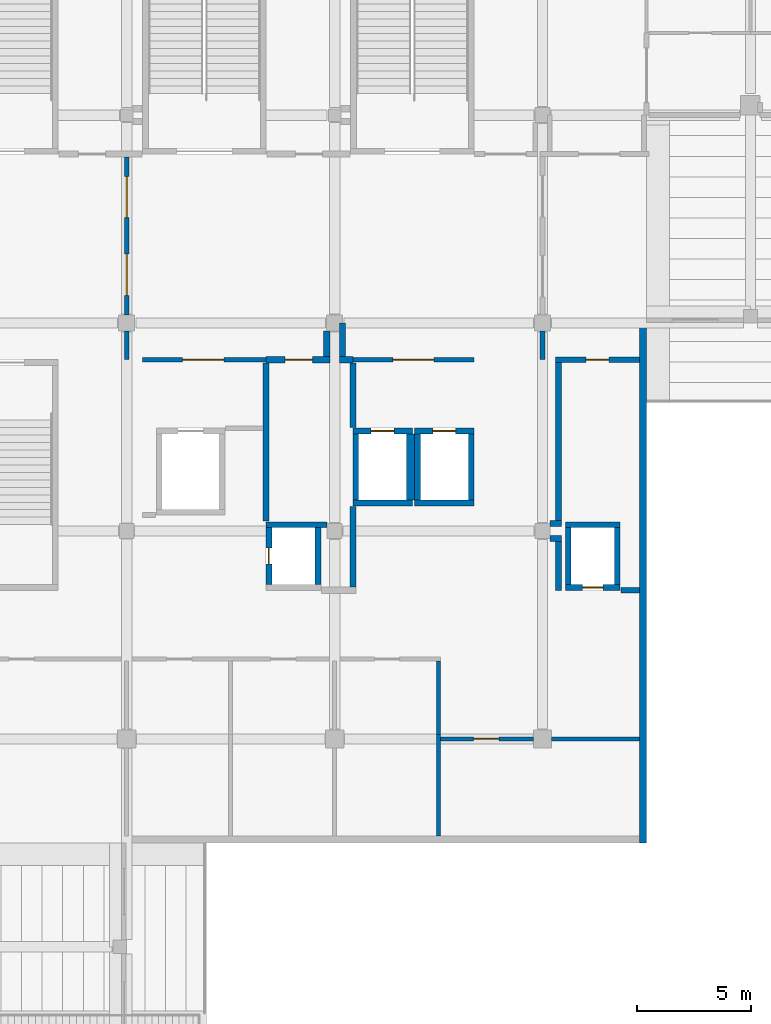
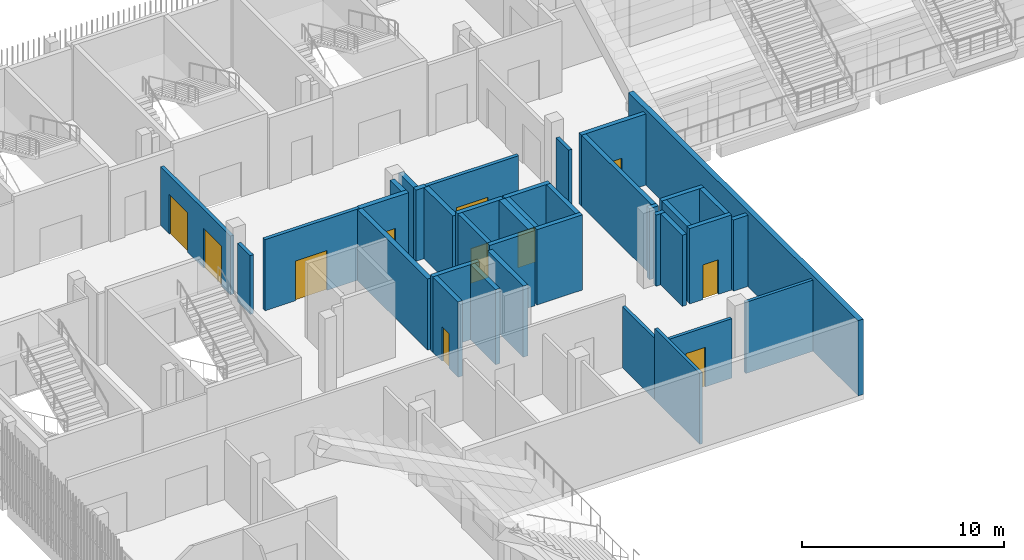
# One storey, part 83 of 139: 38 walls, 11 doors, 11 openings.
"""IFC4 building model written with IfcOpenShell, lengths in metres."""

import ifcopenshell
import ifcopenshell.guid

model = None  # the IFC model being written
_history = None  # IfcOwnerHistory: only IFC2X3 demands one
_inside = {}  # id of a spatial element -> (the spatial element, [elements in it])
_under = {}  # id of a project, library or spatial element -> (it, [spatial elements below it])
_declared = {}  # id of a project -> (the project, [libraries it declares])
_typed = {}  # id of a type object -> (the type object, [elements of that type])
_made_of = {}  # id of a material, layer set ... -> (it, [elements and type objects made of it])


def new_model(schema):
    """Start an empty IFC model of exactly this schema.

    Asked for "IFC4X3", IfcOpenShell would pick the latest addendum, in which some entities
    have other attributes; the version numbers below select the first issue.
    IFC2X3 requires an IfcOwnerHistory on every rooted entity: one is made here for all.
    """
    global model, _history
    if schema == "IFC4X3":
        model = ifcopenshell.file(schema_version=(4, 3, 0, 0))
    else:
        model = ifcopenshell.file(schema=schema)
    _inside.clear()
    _under.clear()
    _declared.clear()
    _typed.clear()
    _made_of.clear()
    _history = None
    if model.schema == "IFC2X3":
        org = make("IfcOrganization", Name="unknown")
        user = make(
            "IfcPersonAndOrganization",
            ThePerson=make("IfcPerson", FamilyName="unknown"),
            TheOrganization=org,
        )
        app = make(
            "IfcApplication",
            ApplicationDeveloper=org,
            Version="unknown",
            ApplicationFullName="unknown",
            ApplicationIdentifier="unknown",
        )
        _history = make(
            "IfcOwnerHistory",
            OwningUser=user,
            OwningApplication=app,
            ChangeAction="ADDED",
            CreationDate=0,
        )
    return model


def make(cls, **values):
    """One entity of the class cls with the attributes given. An attribute that is None is left unset."""
    return model.create_entity(
        cls, **{name: value for name, value in values.items() if value is not None}
    )


def rooted(cls, **values):
    """An entity with a GlobalId (a new one), such as an element, a storey or a relation."""
    return make(cls, GlobalId=ifcopenshell.guid.new(), OwnerHistory=_history, **values)


def si_unit(unit_type, name, prefix=None):
    """IfcSIUnit, for example si_unit("LENGTHUNIT", "METRE", prefix="MILLI")."""
    return make("IfcSIUnit", UnitType=unit_type, Prefix=prefix, Name=name)


def assignment(units):
    """IfcUnitAssignment: the units of a project."""
    return None if units is None else make("IfcUnitAssignment", Units=units)


def point(xyz):
    """IfcCartesianPoint."""
    return None if xyz is None else make("IfcCartesianPoint", Coordinates=xyz)


def direction(xyz):
    """IfcDirection."""
    return None if xyz is None else make("IfcDirection", DirectionRatios=xyz)


def frame(location, z_axis=None, x_axis=None):
    """IfcAxis2Placement3D, a coordinate frame: its origin and axes. An axis left out is left unset."""
    return make(
        "IfcAxis2Placement3D",
        Location=point(location),
        Axis=direction(z_axis),
        RefDirection=direction(x_axis),
    )


def frame_2d(location, x_axis=None):
    """IfcAxis2Placement2D, a coordinate frame in the plane: its origin and x axis."""
    return make(
        "IfcAxis2Placement2D", Location=point(location), RefDirection=direction(x_axis)
    )


def origin():
    """The frame at (0, 0, 0) with its axes left unset."""
    return frame((0.0, 0.0, 0.0))


def place(relative_to, where):
    """IfcLocalPlacement: puts the frame where relative to a parent placement (None: the world)."""
    return make(
        "IfcLocalPlacement", PlacementRelTo=relative_to, RelativePlacement=where
    )


def context(
    kind, dimensions, precision=None, world=None, true_north=None, identifier=None
):
    """IfcGeometricRepresentationContext, for example the 3D "Model" context."""
    return make(
        "IfcGeometricRepresentationContext",
        ContextIdentifier=identifier,
        ContextType=kind,
        CoordinateSpaceDimension=dimensions,
        Precision=precision,
        WorldCoordinateSystem=world,
        TrueNorth=true_north,
    )


def subcontext(parent, identifier, kind, view, scale=None):
    """IfcGeometricRepresentationSubContext, for example "Body" below "Model"."""
    return make(
        "IfcGeometricRepresentationSubContext",
        ContextIdentifier=identifier,
        ContextType=kind,
        ParentContext=parent,
        TargetScale=scale,
        TargetView=view,
    )


def project(units=None, contexts=None):
    """IfcProject with its units and contexts."""
    return rooted(
        "IfcProject",
        Name="project",
        RepresentationContexts=contexts,
        UnitsInContext=assignment(units),
    )


def spatial(cls, under=None, at=None, **own):
    """A site, building, storey or space (cls), placed at a placement, below another one or the project."""
    s = rooted(cls, ObjectPlacement=at, **own)
    if under is not None:
        _under.setdefault(under.id(), (under, []))[1].append(s)
    return s


def profile(cls, at=None, kind="AREA", **sizes):
    """A parametric profile (cls). Its sizes go by their IFC names, for example OverallWidth=200.0."""
    return make(cls, ProfileType=kind, Position=at, **sizes)


def rectangle(**sizes):
    """IfcRectangleProfileDef."""
    return profile("IfcRectangleProfileDef", **sizes)


def extrude(swept, where, along, depth):
    """IfcExtrudedAreaSolid: the profile swept, set in the frame where, extruded along a direction by depth."""
    return make(
        "IfcExtrudedAreaSolid",
        SweptArea=swept,
        Position=where,
        ExtrudedDirection=direction(along),
        Depth=depth,
    )


def shape(context_of_items, identifier, shape_type, items):
    """IfcShapeRepresentation: the items that make up one representation, for example the "Body"."""
    return make(
        "IfcShapeRepresentation",
        ContextOfItems=context_of_items,
        RepresentationIdentifier=identifier,
        RepresentationType=shape_type,
        Items=items,
    )


def material(Name=None, Category=None):
    """IfcMaterial."""
    return make("IfcMaterial", Name=Name, Category=Category)


def layer(
    of_material, thickness, ventilated=None, Name=None, Category=None, Priority=None
):
    """IfcMaterialLayer: one layer of a wall or slab, of a material (None: an air gap)."""
    return make(
        "IfcMaterialLayer",
        Material=of_material,
        LayerThickness=thickness,
        IsVentilated=ventilated,
        Name=Name,
        Category=Category,
        Priority=Priority,
    )


def layer_set(layers, Name=None):
    """IfcMaterialLayerSet."""
    return make("IfcMaterialLayerSet", MaterialLayers=layers, LayerSetName=Name)


def made_of(thing, what):
    """Note that an element or type object is made of a material, layer set ...; save() writes the relation."""
    if what is not None:
        _made_of.setdefault(what.id(), (what, []))[1].append(thing)
    return thing


def type_object(cls, material=None, **own):
    """A type object (cls), such as IfcWallType, which elements share."""
    return made_of(rooted(cls, **own), material)


def element(
    cls,
    number,
    at=None,
    inside=None,
    cuts=None,
    type_object=None,
    material=None,
    context=None,
    identifier="Body",
    shape_type=None,
    held_by="IfcProductDefinitionShape",
    body=None,
    shapes=None,
    **own,
):
    """One element of the class cls, such as IfcWall. Its Tag is "e" and its number.

    at: its placement. inside: the storey or other place that contains it. cuts: it is an
    opening in that element (IfcRelVoidsElement). A single representation is given by context,
    identifier, shape_type and body (its items); several are given by shapes. held_by: the class
    of the entity that holds the representations. save() writes the other relations.
    """
    e = rooted(cls, Tag="e%d" % number, ObjectPlacement=at, **own)
    if body is not None:
        shapes = [shape(context, identifier, shape_type, body)]
    if shapes is not None:
        e.Representation = make(held_by, Representations=shapes)
    if inside is not None:
        _inside.setdefault(inside.id(), (inside, []))[1].append(e)
    if cuts is not None:
        rooted(
            "IfcRelVoidsElement", RelatingBuildingElement=cuts, RelatedOpeningElement=e
        )
    if type_object is not None:
        _typed.setdefault(type_object.id(), (type_object, []))[1].append(e)
    return made_of(e, material)


def fill(opening, filler):
    """IfcRelFillsElement: the door or window that sits in an opening."""
    return rooted(
        "IfcRelFillsElement",
        RelatingOpeningElement=opening,
        RelatedBuildingElement=filler,
    )


def aggregate(whole, parts):
    """IfcRelAggregates: a whole, such as a stair, and the parts it consists of."""
    return rooted("IfcRelAggregates", RelatingObject=whole, RelatedObjects=parts)


def save(model, path):
    """Write the relations noted so far, then the file.

    IfcRelAggregates (storeys below a building ...), IfcRelContainedInSpatialStructure (elements
    in a storey), IfcRelDefinesByType, IfcRelAssociatesMaterial and IfcRelDeclares: one each for
    every whole, place, type object, material and project.
    """
    for whole, parts in _under.values():
        aggregate(whole, parts)
    for where, things in _inside.values():
        rooted(
            "IfcRelContainedInSpatialStructure",
            RelatedElements=things,
            RelatingStructure=where,
        )
    for kind, things in _typed.values():
        rooted("IfcRelDefinesByType", RelatedObjects=things, RelatingType=kind)
    for what, things in _made_of.values():
        rooted("IfcRelAssociatesMaterial", RelatedObjects=things, RelatingMaterial=what)
    for by, libraries in _declared.values():
        rooted("IfcRelDeclares", RelatingContext=by, RelatedDefinitions=libraries)
    model.write(path)


model = new_model("IFC4")

# Units and contexts
model_context = context("Model", 3, precision=1e-05, world=origin(), true_north=direction((0.0, 1.0)))
body_context = subcontext(model_context, "Body", "Model", "MODEL_VIEW")
ifc_project = project(units=[si_unit("LENGTHUNIT", "METRE"), si_unit("AREAUNIT", "SQUARE_METRE"), si_unit("VOLUMEUNIT", "CUBIC_METRE"), si_unit("PLANEANGLEUNIT", "RADIAN"), si_unit("MASSUNIT", "GRAM", prefix="KILO")], contexts=[model_context])

# Site, building, storey
site_placement = place(None, origin())
site = spatial("IfcSite", under=ifc_project, at=site_placement, CompositionType="ELEMENT")
building_placement = place(site_placement, origin())
building = spatial("IfcBuilding", under=site, at=building_placement, Name="Shirokan Park Arena", CompositionType="ELEMENT")
storey_placement = place(building_placement, frame((0.0, 0.0, 15.469970703125)))
storey = spatial("IfcBuildingStorey", under=building, at=storey_placement, Name="L03", CompositionType="ELEMENT", Elevation=15.469970703125)

# Wall
ifc_material_1 = material(Name="Gypsum board")
ifc_layer_1 = layer(ifc_material_1, 0.02490234375, Name="Gypsum board, two layers")
ifc_material_2 = material(Name="Mineral wool insulation")
ifc_layer_2 = layer(ifc_material_2, 0.10009765625, Name="Acoustic mineral wool in studs")
ifc_layer_3 = layer(ifc_material_1, 0.02490234375, Name="Gypsum board, two layers")
ifc_material_3 = material(Name="Acoustic mat on resilient channel")
ifc_layer_4 = layer(ifc_material_3, 0.02490234375, Name="Acoustic mat on resilient channel")
ifc_layer_set_1 = layer_set([ifc_layer_1, ifc_layer_2, ifc_layer_3, ifc_layer_4], Name="Gypsum board, two layers + Acoustic mineral wool in studs + Acoustic mat on resilient channel")
wall_type_1 = type_object("IfcWallType", Name="Acoustic studio wall 175", PredefinedType="PARTITIONING", material=ifc_layer_set_1)
wall_1_placement = place(storey_placement, frame((31.85009765625, 68.550048828125, 0.0), z_axis=(0.0, 0.0, 1.0), x_axis=(0.0, 1.0, 0.0)))
element("IfcWall", 1, at=wall_1_placement, inside=storey, type_object=wall_type_1, Name="Acoustic studio wall 175 L03", PredefinedType="PARTITIONING", context=body_context, shape_type="SweptSolid", body=[
    extrude(rectangle(XDim=4.449951171875, YDim=0.175048828125, at=frame_2d((2.22509765625, 0.0))), origin(), (0.0, 0.0, 1.0), 4.300048828125),
])

# Wall, opening, door
wall_2_placement = place(storey_placement, frame((31.9375, 72.800048828125, 0.0), z_axis=(0.0, 0.0, 1.0), x_axis=(1.0, 0.0, 0.0)))
wall_2 = element("IfcWall", 2, at=wall_2_placement, inside=storey, type_object=wall_type_1, Name="Acoustic studio wall 175 L03", PredefinedType="PARTITIONING", context=body_context, shape_type="SweptSolid", body=[
    extrude(rectangle(XDim=4.0625, YDim=0.175048828125, at=frame_2d((2.03125, 0.0))), origin(), (0.0, 0.0, 1.0), 3.60009765625),
])
opening_1_placement = place(wall_2_placement, frame((1.449951171875, 0.0, 0.0)))
opening_1 = element("IfcOpeningElement", 3, at=opening_1_placement, cuts=wall_2, Name="Opening D-3040", PredefinedType="OPENING", context=body_context, shape_type="SweptSolid", body=[
    extrude(rectangle(XDim=1.10009765625, YDim=2.39990234375, at=frame_2d((0.550048828125, 1.199951171875))), frame((0.0, 0.097412109375, 0.0), z_axis=(0.0, -1.0, 0.0), x_axis=(1.0, 0.0, 0.0)), (0.0, 0.0, 1.0), 0.195068359375),
])
ifc_material_4 = material(Name="Acoustic timber door set, fire resisting", Category="wood")
door_type_1 = type_object("IfcDoorType", Name="Acoustic studio door 1100 x 2400", OperationType="SINGLE_SWING_LEFT", PredefinedType="DOOR", material=ifc_material_4)
door_1_placement = place(opening_1_placement, origin())
door_1 = element("IfcDoor", 4, at=door_1_placement, inside=storey, type_object=door_type_1, Name="Door to Press Conference Room 3.45 D-3040", OperationType="SINGLE_SWING_LEFT", OverallHeight=2.39990234375, OverallWidth=1.10009765625, PredefinedType="DOOR", context=body_context, shape_type="SweptSolid", body=[
    extrude(rectangle(XDim=1.10009765625, YDim=2.39990234375, at=frame_2d((0.550048828125, 1.199951171875))), frame((0.0, 0.02490234375, 0.0), z_axis=(0.0, -1.0, 0.0), x_axis=(1.0, 0.0, 0.0)), (0.0, 0.0, 1.0), 0.050048828125),
])
fill(opening_1, door_1)

# Walls
wall_3_placement = place(storey_placement, frame((36.800048828125, 72.800048828125, 0.0), z_axis=(0.0, 0.0, 1.0), x_axis=(1.0, 0.0, 0.0)))
element("IfcWall", 5, at=wall_3_placement, inside=storey, type_object=wall_type_1, Name="Acoustic studio wall 175 L03", PredefinedType="PARTITIONING", context=body_context, shape_type="SweptSolid", body=[
    extrude(rectangle(XDim=3.849853515625, YDim=0.175048828125, at=frame_2d((1.9248046875, 0.0))), origin(), (0.0, 0.0, 1.0), 4.300048828125),
])
wall_4_placement = place(storey_placement, frame((31.85009765625, 73.0, 0.0), z_axis=(0.0, 0.0, 1.0), x_axis=(0.0, 1.0, 0.0)))
element("IfcWall", 6, at=wall_4_placement, inside=storey, type_object=wall_type_1, Name="Acoustic studio wall 175 L03", PredefinedType="PARTITIONING", context=body_context, shape_type="SweptSolid", body=[
    extrude(rectangle(XDim=3.21240234375, YDim=0.175048828125, at=frame_2d((1.606201171875, 0.0))), origin(), (0.0, 0.0, 1.0), 3.699951171875),
])
ifc_material_5 = material(Name="Plaster")
ifc_layer_5 = layer(ifc_material_5, 0.014892578125, Name="Plaster")
ifc_material_6 = material(Name="Concrete blockwork", Category="masonry")
ifc_layer_6 = layer(ifc_material_6, 0.219970703125, Name="Concrete blockwork 220")
ifc_layer_7 = layer(ifc_material_5, 0.014892578125, Name="Plaster")
ifc_layer_set_2 = layer_set([ifc_layer_5, ifc_layer_6, ifc_layer_7], Name="Plaster + Concrete blockwork 220")
wall_type_2 = type_object("IfcWallType", Name="Compartment wall 250", PredefinedType="SOLIDWALL", material=ifc_layer_set_2)
wall_5_placement = place(storey_placement, frame((36.72509765625, 81.574951171875, 0.0), z_axis=(0.0, 0.0, 1.0), x_axis=(1.0, 0.0, 0.0)))
element("IfcWall", 7, at=wall_5_placement, inside=storey, type_object=wall_type_2, Name="Compartment wall 250 L03", PredefinedType="SOLIDWALL", context=body_context, shape_type="SweptSolid", body=[
    extrude(rectangle(XDim=0.5, YDim=0.25, at=frame_2d((0.25, 0.0))), origin(), (0.0, 0.0, 1.0), 4.300048828125),
])
wall_6_placement = place(storey_placement, frame((37.10009765625, 81.449951171875, 0.0), z_axis=(0.0, 0.0, 1.0), x_axis=(0.0, -1.0, 0.0)))
element("IfcWall", 8, at=wall_6_placement, inside=storey, type_object=wall_type_2, Name="Compartment wall 250 L03", PredefinedType="SOLIDWALL", context=body_context, shape_type="SweptSolid", body=[
    extrude(rectangle(XDim=2.14990234375, YDim=0.25, at=frame_2d((1.074951171875, 0.0))), origin(), (0.0, 0.0, 1.0), 4.300048828125),
])
wall_7_placement = place(storey_placement, frame((37.10009765625, 89.27490234375, 0.0), z_axis=(0.0, 0.0, 1.0), x_axis=(0.0, -1.0, 0.0)))
element("IfcWall", 9, at=wall_7_placement, inside=storey, type_object=wall_type_2, Name="Compartment wall 250 L03", PredefinedType="SOLIDWALL", context=body_context, shape_type="SweptSolid", body=[
    extrude(rectangle(XDim=6.9248046875, YDim=0.25, at=frame_2d((3.46240234375, 0.0))), origin(), (0.0, 0.0, 1.0), 4.300048828125),
])
wall_8_placement = place(storey_placement, frame((37.22509765625, 82.22509765625, 0.0), z_axis=(0.0, 0.0, 1.0), x_axis=(-1.0, 0.0, 0.0)))
element("IfcWall", 10, at=wall_8_placement, inside=storey, type_object=wall_type_2, Name="Compartment wall 250 L03", PredefinedType="SOLIDWALL", context=body_context, shape_type="SweptSolid", body=[
    extrude(rectangle(XDim=0.5, YDim=0.25, at=frame_2d((0.25, 0.0))), origin(), (0.0, 0.0, 1.0), 4.300048828125),
])
wall_9_placement = place(storey_placement, frame((40.64990234375, 79.300048828125, 0.0), z_axis=(0.0, 0.0, 1.0), x_axis=(-1.0, 0.0, 0.0)))
element("IfcWall", 11, at=wall_9_placement, inside=storey, type_object=wall_type_2, Name="Compartment wall 250 L03", PredefinedType="SOLIDWALL", context=body_context, shape_type="SweptSolid", body=[
    extrude(rectangle(XDim=0.81982421875, YDim=0.25, at=frame_2d((0.409912109375, 0.0))), origin(), (0.0, 0.0, 1.0), 4.300048828125),
])

# Wall, opening, door
wall_10_placement = place(storey_placement, frame((40.64990234375, 89.39990234375, 0.0), z_axis=(0.0, 0.0, 1.0), x_axis=(-1.0, 0.0, 0.0)))
wall_10 = element("IfcWall", 12, at=wall_10_placement, inside=storey, type_object=wall_type_2, Name="Compartment wall 250 L03", PredefinedType="SOLIDWALL", context=body_context, shape_type="SweptSolid", body=[
    extrude(rectangle(XDim=3.6748046875, YDim=0.25, at=frame_2d((1.83740234375, 0.0))), origin(), (0.0, 0.0, 1.0), 4.300048828125),
])
opening_2_placement = place(wall_10_placement, frame((1.35009765625, 0.0, 0.0)))
opening_2 = element("IfcOpeningElement", 13, at=opening_2_placement, cuts=wall_10, Name="Opening D-3032", PredefinedType="OPENING", context=body_context, shape_type="SweptSolid", body=[
    extrude(rectangle(XDim=1.0, YDim=2.10009765625, at=frame_2d((0.5, 1.050048828125))), frame((0.0, 0.135009765625, 0.0), z_axis=(0.0, -1.0, 0.0), x_axis=(1.0, 0.0, 0.0)), (0.0, 0.0, 1.0), 0.27001953125),
])
ifc_material_7 = material(Name="Timber door set, fire resisting", Category="wood")
door_type_2 = type_object("IfcDoorType", Name="Door 1000 x 2100", OperationType="SINGLE_SWING_LEFT", PredefinedType="DOOR", material=ifc_material_7)
door_2_placement = place(opening_2_placement, origin())
door_2 = element("IfcDoor", 14, at=door_2_placement, inside=storey, type_object=door_type_2, Name="Door to Suite Store 3.49 D-3032", OperationType="SINGLE_SWING_LEFT", OverallHeight=2.10009765625, OverallWidth=1.0, PredefinedType="DOOR", context=body_context, shape_type="SweptSolid", body=[
    extrude(rectangle(XDim=1.0, YDim=2.10009765625, at=frame_2d((0.5, 1.050048828125))), frame((0.0, 0.02490234375, 0.0), z_axis=(0.0, -1.0, 0.0), x_axis=(1.0, 0.0, 0.0)), (0.0, 0.0, 1.0), 0.050048828125),
])
fill(opening_2, door_2)

# Wall
ifc_layer_8 = layer(ifc_material_1, 0.02490234375, Name="Gypsum board, two layers")
ifc_layer_9 = layer(ifc_material_2, 0.14990234375, Name="Mineral wool insulation")
ifc_layer_10 = layer(ifc_material_1, 0.02490234375, Name="Gypsum board, two layers")
ifc_layer_set_3 = layer_set([ifc_layer_8, ifc_layer_9, ifc_layer_10], Name="Gypsum board, two layers + Mineral wool insulation")
wall_type_3 = type_object("IfcWallType", Name="Corridor wall 200", PredefinedType="PARTITIONING", material=ifc_layer_set_3)
wall_11_placement = place(storey_placement, frame((18.199951171875, 90.64990234375, 0.0), z_axis=(0.0, 0.0, 1.0), x_axis=(0.0, -1.0, 0.0)))
element("IfcWall", 15, at=wall_11_placement, inside=storey, type_object=wall_type_3, Name="Corridor wall 200 L03", PredefinedType="PARTITIONING", context=body_context, shape_type="SweptSolid", body=[
    extrude(rectangle(XDim=1.25, YDim=0.199951171875, at=frame_2d((0.625, 0.0))), origin(), (0.0, 0.0, 1.0), 3.550048828125),
])

# Wall, openings, doors
wall_12_placement = place(storey_placement, frame((18.199951171875, 98.262451171875, 0.0), z_axis=(0.0, 0.0, 1.0), x_axis=(0.0, -1.0, 0.0)))
wall_12 = element("IfcWall", 16, at=wall_12_placement, inside=storey, type_object=wall_type_3, Name="Corridor wall 200 L03", PredefinedType="PARTITIONING", context=body_context, shape_type="SweptSolid", body=[
    extrude(rectangle(XDim=6.912353515625, YDim=0.199951171875, at=frame_2d((3.4560546875, 0.0))), origin(), (0.0, 0.0, 1.0), 3.550048828125),
])
opening_3_placement = place(wall_12_placement, frame((0.85009765625, 0.0, 0.0)))
opening_3 = element("IfcOpeningElement", 17, at=opening_3_placement, cuts=wall_12, Name="Opening D-3128", PredefinedType="OPENING", context=body_context, shape_type="SweptSolid", body=[
    extrude(rectangle(XDim=1.800048828125, YDim=2.39990234375, at=frame_2d((0.89990234375, 1.199951171875))), frame((0.0, 0.10986328125, 0.0), z_axis=(0.0, -1.0, 0.0), x_axis=(1.0, 0.0, 0.0)), (0.0, 0.0, 1.0), 0.219970703125),
])
opening_4_placement = place(wall_12_placement, frame((4.25, 0.0, 0.0)))
opening_4 = element("IfcOpeningElement", 18, at=opening_4_placement, cuts=wall_12, Name="Opening D-3129", PredefinedType="OPENING", context=body_context, shape_type="SweptSolid", body=[
    extrude(rectangle(XDim=1.800048828125, YDim=2.39990234375, at=frame_2d((0.89990234375, 1.199951171875))), frame((0.0, 0.10986328125, 0.0), z_axis=(0.0, -1.0, 0.0), x_axis=(1.0, 0.0, 0.0)), (0.0, 0.0, 1.0), 0.219970703125),
])
ifc_material_8 = material(Name="Glazed steel door set, fire resisting", Category="steel")
door_type_3 = type_object("IfcDoorType", Name="Lift lobby door 1800 x 2400", OperationType="DOUBLE_DOOR_SINGLE_SWING", PredefinedType="DOOR", material=ifc_material_8)
door_3_placement = place(opening_3_placement, origin())
door_3 = element("IfcDoor", 19, at=door_3_placement, inside=storey, type_object=door_type_3, Name="Door between Media Lobby 4.3.1 and Stair Lobby 4.3.2 D-3128", OperationType="DOUBLE_DOOR_SINGLE_SWING", OverallHeight=2.39990234375, OverallWidth=1.800048828125, PredefinedType="DOOR", context=body_context, shape_type="SweptSolid", body=[
    extrude(rectangle(XDim=1.800048828125, YDim=2.39990234375, at=frame_2d((0.89990234375, 1.199951171875))), frame((0.0, 0.02490234375, 0.0), z_axis=(0.0, -1.0, 0.0), x_axis=(1.0, 0.0, 0.0)), (0.0, 0.0, 1.0), 0.050048828125),
])
fill(opening_3, door_3)
door_4_placement = place(opening_4_placement, origin())
door_4 = element("IfcDoor", 20, at=door_4_placement, inside=storey, type_object=door_type_3, Name="Door between Media Lobby 4.3.1 and Stair Lobby 4.3.2 D-3129", OperationType="DOUBLE_DOOR_SINGLE_SWING", OverallHeight=2.39990234375, OverallWidth=1.800048828125, PredefinedType="DOOR", context=body_context, shape_type="SweptSolid", body=[
    extrude(rectangle(XDim=1.800048828125, YDim=2.39990234375, at=frame_2d((0.89990234375, 1.199951171875))), frame((0.0, 0.02490234375, 0.0), z_axis=(0.0, -1.0, 0.0), x_axis=(1.0, 0.0, 0.0)), (0.0, 0.0, 1.0), 0.050048828125),
])
fill(opening_4, door_4)

# Wall, opening, door
wall_13_placement = place(storey_placement, frame((24.300048828125, 89.39990234375, 0.0), z_axis=(0.0, 0.0, 1.0), x_axis=(-1.0, 0.0, 0.0)))
wall_13 = element("IfcWall", 21, at=wall_13_placement, inside=storey, type_object=wall_type_3, Name="Corridor wall 200 L03", PredefinedType="PARTITIONING", context=body_context, shape_type="SweptSolid", body=[
    extrude(rectangle(XDim=5.400146484375, YDim=0.199951171875, at=frame_2d((2.7001953125, 0.0))), origin(), (0.0, 0.0, 1.0), 4.300048828125),
])
opening_5_placement = place(wall_13_placement, frame((1.85009765625, 0.0, 0.0)))
opening_5 = element("IfcOpeningElement", 22, at=opening_5_placement, cuts=wall_13, Name="Opening D-3133", PredefinedType="OPENING", context=body_context, shape_type="SweptSolid", body=[
    extrude(rectangle(XDim=1.800048828125, YDim=2.39990234375, at=frame_2d((0.89990234375, 1.199951171875))), frame((0.0, 0.10986328125, 0.0), z_axis=(0.0, -1.0, 0.0), x_axis=(1.0, 0.0, 0.0)), (0.0, 0.0, 1.0), 0.219970703125),
])
door_5_placement = place(opening_5_placement, origin())
door_5 = element("IfcDoor", 23, at=door_5_placement, inside=storey, type_object=door_type_3, Name="Door between Stair Lobby 4.3.2 and Service Lift Lobby 4.3 D-3133", OperationType="DOUBLE_DOOR_SINGLE_SWING", OverallHeight=2.39990234375, OverallWidth=1.800048828125, PredefinedType="DOOR", context=body_context, shape_type="SweptSolid", body=[
    extrude(rectangle(XDim=1.800048828125, YDim=2.39990234375, at=frame_2d((0.89990234375, 1.199951171875))), frame((0.0, 0.02490234375, 0.0), z_axis=(0.0, -1.0, 0.0), x_axis=(1.0, 0.0, 0.0)), (0.0, 0.0, 1.0), 0.050048828125),
])
fill(opening_5, door_5)

wall_14_placement = place(storey_placement, frame((33.39990234375, 89.39990234375, 0.0), z_axis=(0.0, 0.0, 1.0), x_axis=(-1.0, 0.0, 0.0)))
wall_14 = element("IfcWall", 24, at=wall_14_placement, inside=storey, type_object=wall_type_3, Name="Corridor wall 200 L03", PredefinedType="PARTITIONING", context=body_context, shape_type="SweptSolid", body=[
    extrude(rectangle(XDim=5.2998046875, YDim=0.199951171875, at=frame_2d((2.64990234375, 0.0))), origin(), (0.0, 0.0, 1.0), 4.300048828125),
])
opening_6_placement = place(wall_14_placement, frame((1.75, 0.0, 0.0)))
opening_6 = element("IfcOpeningElement", 25, at=opening_6_placement, cuts=wall_14, Name="Opening D-3132", PredefinedType="OPENING", context=body_context, shape_type="SweptSolid", body=[
    extrude(rectangle(XDim=1.800048828125, YDim=2.39990234375, at=frame_2d((0.89990234375, 1.199951171875))), frame((0.0, 0.10986328125, 0.0), z_axis=(0.0, -1.0, 0.0), x_axis=(1.0, 0.0, 0.0)), (0.0, 0.0, 1.0), 0.219970703125),
])
door_6_placement = place(opening_6_placement, origin())
door_6 = element("IfcDoor", 26, at=door_6_placement, inside=storey, type_object=door_type_3, Name="Door between Stair Lobby 4.3.2 and Lift Lobby 4.3 D-3132", OperationType="DOUBLE_DOOR_SINGLE_SWING", OverallHeight=2.39990234375, OverallWidth=1.800048828125, PredefinedType="DOOR", context=body_context, shape_type="SweptSolid", body=[
    extrude(rectangle(XDim=1.800048828125, YDim=2.39990234375, at=frame_2d((0.89990234375, 1.199951171875))), frame((0.0, 0.02490234375, 0.0), z_axis=(0.0, -1.0, 0.0), x_axis=(1.0, 0.0, 0.0)), (0.0, 0.0, 1.0), 0.050048828125),
])
fill(opening_6, door_6)

# Walls
wall_15_placement = place(storey_placement, frame((36.39990234375, 90.64990234375, 0.0), z_axis=(0.0, 0.0, 1.0), x_axis=(0.0, -1.0, 0.0)))
element("IfcWall", 27, at=wall_15_placement, inside=storey, type_object=wall_type_3, Name="Corridor wall 200 L03", PredefinedType="PARTITIONING", context=body_context, shape_type="SweptSolid", body=[
    extrude(rectangle(XDim=1.25, YDim=0.199951171875, at=frame_2d((0.625, 0.0))), origin(), (0.0, 0.0, 1.0), 3.550048828125),
])
ifc_layer_11 = layer(ifc_material_5, 0.012451171875, Name="Plaster")
ifc_layer_12 = layer(ifc_material_6, 0.25, Name="Concrete blockwork 250")
ifc_layer_13 = layer(ifc_material_5, 0.012451171875, Name="Plaster")
ifc_layer_set_4 = layer_set([ifc_layer_11, ifc_layer_12, ifc_layer_13], Name="Plaster + Concrete blockwork 250")
wall_type_4 = type_object("IfcWallType", Name="Plant room wall 275", PredefinedType="SOLIDWALL", material=ifc_layer_set_4)
wall_16_placement = place(storey_placement, frame((24.300048828125, 82.330078125, 0.0), z_axis=(0.0, 0.0, 1.0), x_axis=(0.0, 1.0, 0.0)))
element("IfcWall", 28, at=wall_16_placement, inside=storey, type_object=wall_type_4, Name="Plant room wall 275 L03", PredefinedType="SOLIDWALL", context=body_context, shape_type="SweptSolid", body=[
    extrude(rectangle(XDim=6.932373046875, YDim=0.27490234375, at=frame_2d((3.46630859375, 0.0))), origin(), (0.0, 0.0, 1.0), 4.300048828125),
])
wall_17_placement = place(storey_placement, frame((26.949951171875, 90.64990234375, 0.0), z_axis=(0.0, 0.0, 1.0), x_axis=(0.0, -1.0, 0.0)))
element("IfcWall", 29, at=wall_17_placement, inside=storey, type_object=wall_type_4, Name="Plant room wall 275 L03", PredefinedType="SOLIDWALL", context=body_context, shape_type="SweptSolid", body=[
    extrude(rectangle(XDim=1.1123046875, YDim=0.27490234375, at=frame_2d((0.55615234375, 0.0))), origin(), (0.0, 0.0, 1.0), 4.300048828125),
])

# Wall, opening, door
wall_18_placement = place(storey_placement, frame((27.08740234375, 89.39990234375, 0.0), z_axis=(0.0, 0.0, 1.0), x_axis=(-1.0, 0.0, 0.0)))
wall_18 = element("IfcWall", 30, at=wall_18_placement, inside=storey, type_object=wall_type_4, Name="Plant room wall 275 L03", PredefinedType="SOLIDWALL", context=body_context, shape_type="SweptSolid", body=[
    extrude(rectangle(XDim=2.787353515625, YDim=0.27490234375, at=frame_2d((1.3935546875, 0.0))), origin(), (0.0, 0.0, 1.0), 4.300048828125),
])
opening_7_placement = place(wall_18_placement, frame((0.75, 0.0, 0.0)))
opening_7 = element("IfcOpeningElement", 31, at=opening_7_placement, cuts=wall_18, Name="Opening D-3031", PredefinedType="OPENING", context=body_context, shape_type="SweptSolid", body=[
    extrude(rectangle(XDim=1.199951171875, YDim=2.39990234375, at=frame_2d((0.60009765625, 1.199951171875))), frame((0.0, 0.1474609375, 0.0), z_axis=(0.0, -1.0, 0.0), x_axis=(1.0, 0.0, 0.0)), (0.0, 0.0, 1.0), 0.294921875),
])
ifc_material_9 = material(Name="Louvred steel door set, fire resisting", Category="steel")
door_type_4 = type_object("IfcDoorType", Name="Plant room door 1200 x 2400", OperationType="SINGLE_SWING_LEFT", PredefinedType="DOOR", material=ifc_material_9)
door_7_placement = place(opening_7_placement, origin())
door_7 = element("IfcDoor", 32, at=door_7_placement, inside=storey, type_object=door_type_4, Name="Door to Server Room 3.48 D-3031", OperationType="SINGLE_SWING_RIGHT", OverallHeight=2.39990234375, OverallWidth=1.199951171875, PredefinedType="DOOR", context=body_context, shape_type="SweptSolid", body=[
    extrude(rectangle(XDim=1.199951171875, YDim=2.39990234375, at=frame_2d((0.60009765625, 1.199951171875))), frame((0.0, 0.02490234375, 0.0), z_axis=(0.0, -1.0, 0.0), x_axis=(1.0, 0.0, 0.0)), (0.0, 0.0, 1.0), 0.050048828125),
])
fill(opening_7, door_7)

# Walls
wall_19_placement = place(storey_placement, frame((27.64990234375, 89.53759765625, 0.0), z_axis=(0.0, 0.0, 1.0), x_axis=(0.0, 1.0, 0.0)))
element("IfcWall", 33, at=wall_19_placement, inside=storey, type_object=wall_type_4, Name="Plant room wall 275 L03", PredefinedType="SOLIDWALL", context=body_context, shape_type="SweptSolid", body=[
    extrude(rectangle(XDim=1.46240234375, YDim=0.27490234375, at=frame_2d((0.731201171875, 0.0))), origin(), (0.0, 0.0, 1.0), 4.300048828125),
])
wall_20_placement = place(storey_placement, frame((28.10009765625, 82.969970703125, 0.0), z_axis=(0.0, 0.0, 1.0), x_axis=(0.0, -1.0, 0.0)))
element("IfcWall", 34, at=wall_20_placement, inside=storey, type_object=wall_type_4, Name="Plant room wall 275 L03", PredefinedType="SOLIDWALL", context=body_context, shape_type="SweptSolid", body=[
    extrude(rectangle(XDim=3.532470703125, YDim=0.27490234375, at=frame_2d((1.76611328125, 0.0))), origin(), (0.0, 0.0, 1.0), 4.300048828125),
])
wall_21_placement = place(storey_placement, frame((28.10009765625, 89.262451171875, 0.0), z_axis=(0.0, 0.0, 1.0), x_axis=(0.0, -1.0, 0.0)))
element("IfcWall", 35, at=wall_21_placement, inside=storey, type_object=wall_type_4, Name="Plant room wall 275 L03", PredefinedType="SOLIDWALL", context=body_context, shape_type="SweptSolid", body=[
    extrude(rectangle(XDim=2.83251953125, YDim=0.27490234375, at=frame_2d((1.416259765625, 0.0))), origin(), (0.0, 0.0, 1.0), 4.300048828125),
])
wall_22_placement = place(storey_placement, frame((28.10009765625, 89.39990234375, 0.0), z_axis=(0.0, 0.0, 1.0), x_axis=(-1.0, 0.0, 0.0)))
element("IfcWall", 36, at=wall_22_placement, inside=storey, type_object=wall_type_4, Name="Plant room wall 275 L03", PredefinedType="SOLIDWALL", context=body_context, shape_type="SweptSolid", body=[
    extrude(rectangle(XDim=0.587646484375, YDim=0.27490234375, at=frame_2d((0.2939453125, 0.0))), origin(), (0.0, 0.0, 1.0), 4.300048828125),
])
ifc_material_10 = material(Name="Concrete C35", Category="concrete")
ifc_layer_14 = layer(ifc_material_10, 0.300048828125)
ifc_layer_set_5 = layer_set([ifc_layer_14], Name="Concrete C35 300 mm")
wall_type_5 = type_object("IfcWallType", Name="RC flank wall 300", PredefinedType="SHEAR", material=ifc_layer_set_5)
wall_23_placement = place(storey_placement, frame((40.800048828125, 68.25, 0.0), z_axis=(0.0, 0.0, 1.0), x_axis=(0.0, 1.0, 0.0)))
element("IfcWall", 37, at=wall_23_placement, inside=storey, type_object=wall_type_5, Name="Flank wall N1 L03", PredefinedType="SHEAR", context=body_context, shape_type="SweptSolid", body=[
    extrude(rectangle(XDim=22.75, YDim=0.300048828125, at=frame_2d((11.375, 0.0))), origin(), (0.0, 0.0, 1.0), 4.550048828125),
])
ifc_material_11 = material(Name="Concrete C40/50", Category="concrete")
ifc_layer_15 = layer(ifc_material_11, 0.25)
ifc_layer_set_6 = layer_set([ifc_layer_15], Name="Concrete C40/50 250 mm")
wall_type_6 = type_object("IfcWallType", Name="RC shear wall 250", PredefinedType="SHEAR", material=ifc_layer_set_6)
wall_24_placement = place(storey_placement, frame((30.699951171875, 83.125, 0.0), z_axis=(0.0, 0.0, 1.0), x_axis=(-1.0, 0.0, 0.0)))
element("IfcWall", 38, at=wall_24_placement, inside=storey, type_object=wall_type_6, Name="Shaft wall Passenger Lift 4.1 S L03", PredefinedType="SHEAR", context=body_context, shape_type="SweptSolid", body=[
    extrude(rectangle(XDim=2.599853515625, YDim=0.25, at=frame_2d((1.2998046875, 0.0))), origin(), (0.0, 0.0, 1.0), 4.550048828125),
])

# Wall, opening, door
wall_25_placement = place(storey_placement, frame((30.699951171875, 86.27490234375, 0.0), z_axis=(0.0, 0.0, 1.0), x_axis=(-1.0, 0.0, 0.0)))
wall_25 = element("IfcWall", 39, at=wall_25_placement, inside=storey, type_object=wall_type_6, Name="Shaft wall Passenger Lift 4.1 N L03", PredefinedType="SHEAR", context=body_context, shape_type="SweptSolid", body=[
    extrude(rectangle(XDim=2.599853515625, YDim=0.25, at=frame_2d((1.2998046875, 0.0))), origin(), (0.0, 0.0, 1.0), 4.550048828125),
])
opening_8_placement = place(wall_25_placement, frame((0.800048828125, 0.0, 0.0)))
opening_8 = element("IfcOpeningElement", 40, at=opening_8_placement, cuts=wall_25, Name="Opening LD40", PredefinedType="OPENING", context=body_context, shape_type="SweptSolid", body=[
    extrude(rectangle(XDim=1.0, YDim=2.10009765625, at=frame_2d((0.5, 1.050048828125))), frame((0.0, 0.135009765625, 0.0), z_axis=(0.0, -1.0, 0.0), x_axis=(1.0, 0.0, 0.0)), (0.0, 0.0, 1.0), 0.27001953125),
])
ifc_material_12 = material(Name="Stainless steel", Category="steel")
door_type_5 = type_object("IfcDoorType", Name="Lift landing door 1000x2100", OperationType="DOUBLE_DOOR_SLIDING", PredefinedType="DOOR", material=ifc_material_12)
door_8_placement = place(opening_8_placement, origin())
door_8 = element("IfcDoor", 41, at=door_8_placement, inside=storey, type_object=door_type_5, Name="Lift landing door Passenger Lift 4.1 L03", OperationType="DOUBLE_DOOR_SLIDING", OverallHeight=2.10009765625, OverallWidth=1.0, PredefinedType="DOOR", context=body_context, shape_type="SweptSolid", body=[
    extrude(rectangle(XDim=1.0, YDim=2.10009765625, at=frame_2d((0.5, 1.050048828125))), frame((0.0, 0.02490234375, 0.0), z_axis=(0.0, -1.0, 0.0), x_axis=(1.0, 0.0, 0.0)), (0.0, 0.0, 1.0), 0.050048828125),
])
fill(opening_8, door_8)

# Walls
wall_26_placement = place(storey_placement, frame((28.22509765625, 86.14990234375, 0.0), z_axis=(0.0, 0.0, 1.0), x_axis=(0.0, -1.0, 0.0)))
element("IfcWall", 42, at=wall_26_placement, inside=storey, type_object=wall_type_6, Name="Shaft wall Passenger Lift 4.1 W L03", PredefinedType="SHEAR", context=body_context, shape_type="SweptSolid", body=[
    extrude(rectangle(XDim=2.89990234375, YDim=0.25, at=frame_2d((1.449951171875, 0.0))), origin(), (0.0, 0.0, 1.0), 4.550048828125),
])
wall_27_placement = place(storey_placement, frame((33.39990234375, 83.125, 0.0), z_axis=(0.0, 0.0, 1.0), x_axis=(-1.0, 0.0, 0.0)))
element("IfcWall", 43, at=wall_27_placement, inside=storey, type_object=wall_type_6, Name="Shaft wall Passenger Lift 4.2 S L03", PredefinedType="SHEAR", context=body_context, shape_type="SweptSolid", body=[
    extrude(rectangle(XDim=2.599853515625, YDim=0.25, at=frame_2d((1.2998046875, 0.0))), origin(), (0.0, 0.0, 1.0), 4.550048828125),
])

# Wall, opening, door
wall_28_placement = place(storey_placement, frame((33.39990234375, 86.27490234375, 0.0), z_axis=(0.0, 0.0, 1.0), x_axis=(-1.0, 0.0, 0.0)))
wall_28 = element("IfcWall", 44, at=wall_28_placement, inside=storey, type_object=wall_type_6, Name="Shaft wall Passenger Lift 4.2 N L03", PredefinedType="SHEAR", context=body_context, shape_type="SweptSolid", body=[
    extrude(rectangle(XDim=2.599853515625, YDim=0.25, at=frame_2d((1.2998046875, 0.0))), origin(), (0.0, 0.0, 1.0), 4.550048828125),
])
opening_9_placement = place(wall_28_placement, frame((0.800048828125, 0.0, 0.0)))
opening_9 = element("IfcOpeningElement", 45, at=opening_9_placement, cuts=wall_28, Name="Opening LD46", PredefinedType="OPENING", context=body_context, shape_type="SweptSolid", body=[
    extrude(rectangle(XDim=1.0, YDim=2.10009765625, at=frame_2d((0.5, 1.050048828125))), frame((0.0, 0.135009765625, 0.0), z_axis=(0.0, -1.0, 0.0), x_axis=(1.0, 0.0, 0.0)), (0.0, 0.0, 1.0), 0.27001953125),
])
door_9_placement = place(opening_9_placement, origin())
door_9 = element("IfcDoor", 46, at=door_9_placement, inside=storey, type_object=door_type_5, Name="Lift landing door Passenger Lift 4.2 L03", OperationType="DOUBLE_DOOR_SLIDING", OverallHeight=2.10009765625, OverallWidth=1.0, PredefinedType="DOOR", context=body_context, shape_type="SweptSolid", body=[
    extrude(rectangle(XDim=1.0, YDim=2.10009765625, at=frame_2d((0.5, 1.050048828125))), frame((0.0, 0.02490234375, 0.0), z_axis=(0.0, -1.0, 0.0), x_axis=(1.0, 0.0, 0.0)), (0.0, 0.0, 1.0), 0.050048828125),
])
fill(opening_9, door_9)

# Walls
for number, where, z_axis, x_axis, name in (
    (47, (30.925048828125, 86.14990234375, 0.0), (0.0, 0.0, 1.0), (0.0, -1.0, 0.0), "Shaft wall Passenger Lift 4.2 W L03"),
    (48, (33.27490234375, 86.14990234375, 0.0), (0.0, 0.0, 1.0), (0.0, -1.0, 0.0), "Shaft wall Passenger Lift 4.2 E L03"),
):
    element("IfcWall", number, at=place(storey_placement, frame(where, z_axis=z_axis, x_axis=x_axis)), inside=storey, type_object=wall_type_6, Name=name, PredefinedType="SHEAR", context=body_context, shape_type="SweptSolid", body=[
        extrude(rectangle(XDim=2.89990234375, YDim=0.25, at=frame_2d((1.449951171875, 0.0))), origin(), (0.0, 0.0, 1.0), 4.550048828125),
    ])

# Wall, opening, door
wall_29_placement = place(storey_placement, frame((39.800048828125, 79.425048828125, 0.0), z_axis=(0.0, 0.0, 1.0), x_axis=(-1.0, 0.0, 0.0)))
wall_29 = element("IfcWall", 49, at=wall_29_placement, inside=storey, type_object=wall_type_6, Name="Shaft wall Services Riser 4.1 S L03", PredefinedType="SHEAR", context=body_context, shape_type="SweptSolid", body=[
    extrude(rectangle(XDim=2.400146484375, YDim=0.25, at=frame_2d((1.2001953125, 0.0))), origin(), (0.0, 0.0, 1.0), 4.550048828125),
])
opening_10_placement = place(wall_29_placement, frame((0.75, 0.0, 0.0)))
opening_10 = element("IfcOpeningElement", 50, at=opening_10_placement, cuts=wall_29, Name="Opening D-3144", PredefinedType="OPENING", context=body_context, shape_type="SweptSolid", body=[
    extrude(rectangle(XDim=0.89990234375, YDim=2.10009765625, at=frame_2d((0.449951171875, 1.050048828125))), frame((0.0, 0.135009765625, 0.0), z_axis=(0.0, -1.0, 0.0), x_axis=(1.0, 0.0, 0.0)), (0.0, 0.0, 1.0), 0.27001953125),
])
ifc_material_13 = material(Name="Steel door set, fire resisting", Category="steel")
door_type_6 = type_object("IfcDoorType", Name="Electrical riser door 900 x 2100", OperationType="SINGLE_SWING_LEFT", PredefinedType="DOOR", material=ifc_material_13)
door_10_placement = place(opening_10_placement, origin())
door_10 = element("IfcDoor", 51, at=door_10_placement, inside=storey, type_object=door_type_6, Name="Riser access door Services Riser 4.1 D-3144", OperationType="SINGLE_SWING_RIGHT", OverallHeight=2.10009765625, OverallWidth=0.89990234375, PredefinedType="DOOR", context=body_context, shape_type="SweptSolid", body=[
    extrude(rectangle(XDim=0.89990234375, YDim=2.10009765625, at=frame_2d((0.449951171875, 1.050048828125))), frame((0.0, 0.02490234375, 0.0), z_axis=(0.0, -1.0, 0.0), x_axis=(1.0, 0.0, 0.0)), (0.0, 0.0, 1.0), 0.050048828125),
])
fill(opening_10, door_10)

# Walls
wall_30_placement = place(storey_placement, frame((39.800048828125, 82.175048828125, 0.0), z_axis=(0.0, 0.0, 1.0), x_axis=(-1.0, 0.0, 0.0)))
element("IfcWall", 52, at=wall_30_placement, inside=storey, type_object=wall_type_6, Name="Shaft wall Services Riser 4.1 N L03", PredefinedType="SHEAR", context=body_context, shape_type="SweptSolid", body=[
    extrude(rectangle(XDim=2.400146484375, YDim=0.25, at=frame_2d((1.2001953125, 0.0))), origin(), (0.0, 0.0, 1.0), 4.550048828125),
])
for number, where, z_axis, x_axis, name in (
    (53, (37.52490234375, 82.050048828125, 0.0), (0.0, 0.0, 1.0), (0.0, -1.0, 0.0), "Shaft wall Services Riser 4.1 W L03"),
    (54, (39.675048828125, 82.050048828125, 0.0), (0.0, 0.0, 1.0), (0.0, -1.0, 0.0), "Shaft wall Services Riser 4.1 E L03"),
):
    element("IfcWall", number, at=place(storey_placement, frame(where, z_axis=z_axis, x_axis=x_axis)), inside=storey, type_object=wall_type_6, Name=name, PredefinedType="SHEAR", context=body_context, shape_type="SweptSolid", body=[
        extrude(rectangle(XDim=2.5, YDim=0.25, at=frame_2d((1.25, 0.0))), origin(), (0.0, 0.0, 1.0), 4.550048828125),
    ])
wall_31_placement = place(storey_placement, frame((26.97509765625, 82.175048828125, 0.0), z_axis=(0.0, 0.0, 1.0), x_axis=(-1.0, 0.0, 0.0)))
element("IfcWall", 55, at=wall_31_placement, inside=storey, type_object=wall_type_6, Name="Shaft wall Services Riser 4.2 N L03", PredefinedType="SHEAR", context=body_context, shape_type="SweptSolid", body=[
    extrude(rectangle(XDim=2.675048828125, YDim=0.25, at=frame_2d((1.33740234375, 0.0))), origin(), (0.0, 0.0, 1.0), 4.550048828125),
])

# Wall, opening, door
wall_32_placement = place(storey_placement, frame((24.425048828125, 82.050048828125, 0.0), z_axis=(0.0, 0.0, 1.0), x_axis=(0.0, -1.0, 0.0)))
wall_32 = element("IfcWall", 56, at=wall_32_placement, inside=storey, type_object=wall_type_6, Name="Shaft wall Services Riser 4.2 W L03", PredefinedType="SHEAR", context=body_context, shape_type="SweptSolid", body=[
    extrude(rectangle(XDim=2.5, YDim=0.25, at=frame_2d((1.25, 0.0))), origin(), (0.0, 0.0, 1.0), 4.550048828125),
])
opening_11_placement = place(wall_32_placement, frame((0.89990234375, 0.0, 0.0)))
opening_11 = element("IfcOpeningElement", 57, at=opening_11_placement, cuts=wall_32, Name="Opening D-3145", PredefinedType="OPENING", context=body_context, shape_type="SweptSolid", body=[
    extrude(rectangle(XDim=0.699951171875, YDim=2.10009765625, at=frame_2d((0.35009765625, 1.050048828125))), frame((0.0, 0.135009765625, 0.0), z_axis=(0.0, -1.0, 0.0), x_axis=(1.0, 0.0, 0.0)), (0.0, 0.0, 1.0), 0.27001953125),
])
door_type_7 = type_object("IfcDoorType", Name="Mechanical riser door 700 x 2100", OperationType="SINGLE_SWING_LEFT", PredefinedType="DOOR", material=ifc_material_13)
door_11_placement = place(opening_11_placement, origin())
door_11 = element("IfcDoor", 58, at=door_11_placement, inside=storey, type_object=door_type_7, Name="Riser access door Services Riser 4.2 D-3145", OperationType="SINGLE_SWING_LEFT", OverallHeight=2.10009765625, OverallWidth=0.699951171875, PredefinedType="DOOR", context=body_context, shape_type="SweptSolid", body=[
    extrude(rectangle(XDim=0.699951171875, YDim=2.10009765625, at=frame_2d((0.35009765625, 1.050048828125))), frame((0.0, 0.02490234375, 0.0), z_axis=(0.0, -1.0, 0.0), x_axis=(1.0, 0.0, 0.0)), (0.0, 0.0, 1.0), 0.050048828125),
])
fill(opening_11, door_11)

# Walls
wall_33_placement = place(storey_placement, frame((26.574951171875, 82.050048828125, 0.0), z_axis=(0.0, 0.0, 1.0), x_axis=(0.0, -1.0, 0.0)))
element("IfcWall", 59, at=wall_33_placement, inside=storey, type_object=wall_type_6, Name="Shaft wall Services Riser 4.2 E L03", PredefinedType="SHEAR", context=body_context, shape_type="SweptSolid", body=[
    extrude(rectangle(XDim=2.5, YDim=0.25, at=frame_2d((1.25, 0.0))), origin(), (0.0, 0.0, 1.0), 4.550048828125),
])
ifc_layer_16 = layer(ifc_material_11, 0.35009765625)
ifc_layer_set_7 = layer_set([ifc_layer_16], Name="Concrete C40/50 350 mm")
wall_type_7 = type_object("IfcWallType", Name="RC shear wall 350", PredefinedType="SHEAR", material=ifc_layer_set_7)
wall_34_placement = place(storey_placement, frame((30.625, 86.14990234375, 0.0), z_axis=(0.0, 0.0, 1.0), x_axis=(0.0, -1.0, 0.0)))
element("IfcWall", 60, at=wall_34_placement, inside=storey, type_object=wall_type_7, Name="Shaft wall Passenger Lift 4.1 E L03", PredefinedType="SHEAR", context=body_context, shape_type="SweptSolid", body=[
    extrude(rectangle(XDim=2.89990234375, YDim=0.35009765625, at=frame_2d((1.449951171875, 0.0))), origin(), (0.0, 0.0, 1.0), 4.550048828125),
])

save(model, "model.ifc")
